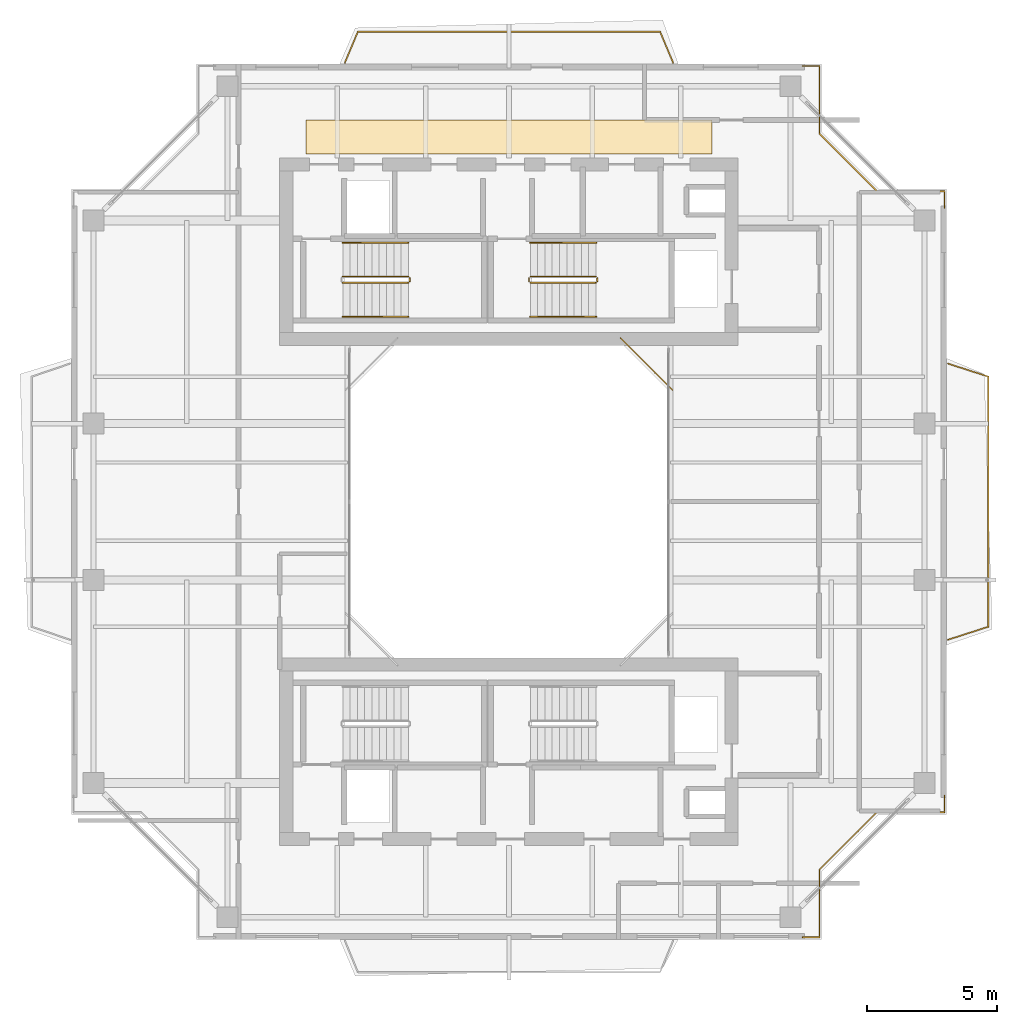
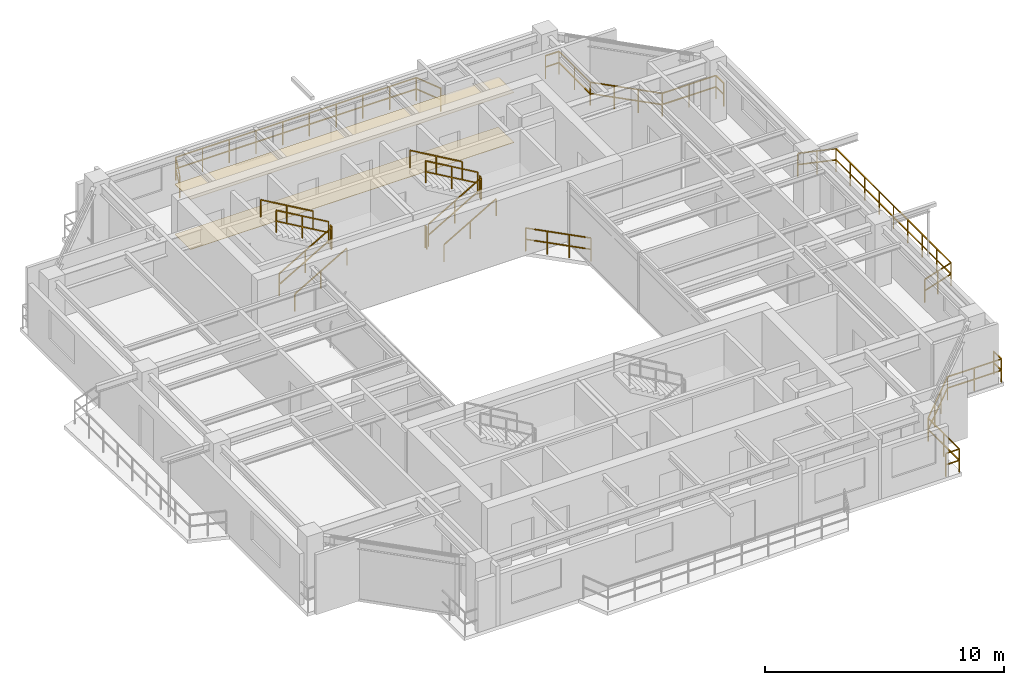
# One storey, part 15 of 15: 16 railings, 2 coverings.
"""IFC4 building model written with IfcOpenShell, lengths in metres."""

import ifcopenshell
import ifcopenshell.guid

model = None  # the IFC model being written
_history = None  # IfcOwnerHistory: only IFC2X3 demands one
_inside = {}  # id of a spatial element -> (the spatial element, [elements in it])
_under = {}  # id of a project, library or spatial element -> (it, [spatial elements below it])
_declared = {}  # id of a project -> (the project, [libraries it declares])
_typed = {}  # id of a type object -> (the type object, [elements of that type])
_made_of = {}  # id of a material, layer set ... -> (it, [elements and type objects made of it])


def new_model(schema):
    """Start an empty IFC model of exactly this schema.

    Asked for "IFC4X3", IfcOpenShell would pick the latest addendum, in which some entities
    have other attributes; the version numbers below select the first issue.
    IFC2X3 requires an IfcOwnerHistory on every rooted entity: one is made here for all.
    """
    global model, _history
    if schema == "IFC4X3":
        model = ifcopenshell.file(schema_version=(4, 3, 0, 0))
    else:
        model = ifcopenshell.file(schema=schema)
    _inside.clear()
    _under.clear()
    _declared.clear()
    _typed.clear()
    _made_of.clear()
    _history = None
    if model.schema == "IFC2X3":
        org = make("IfcOrganization", Name="unknown")
        user = make(
            "IfcPersonAndOrganization",
            ThePerson=make("IfcPerson", FamilyName="unknown"),
            TheOrganization=org,
        )
        app = make(
            "IfcApplication",
            ApplicationDeveloper=org,
            Version="unknown",
            ApplicationFullName="unknown",
            ApplicationIdentifier="unknown",
        )
        _history = make(
            "IfcOwnerHistory",
            OwningUser=user,
            OwningApplication=app,
            ChangeAction="ADDED",
            CreationDate=0,
        )
    return model


def make(cls, **values):
    """One entity of the class cls with the attributes given. An attribute that is None is left unset."""
    return model.create_entity(
        cls, **{name: value for name, value in values.items() if value is not None}
    )


def rooted(cls, **values):
    """An entity with a GlobalId (a new one), such as an element, a storey or a relation."""
    return make(cls, GlobalId=ifcopenshell.guid.new(), OwnerHistory=_history, **values)


def si_unit(unit_type, name, prefix=None):
    """IfcSIUnit, for example si_unit("LENGTHUNIT", "METRE", prefix="MILLI")."""
    return make("IfcSIUnit", UnitType=unit_type, Prefix=prefix, Name=name)


def assignment(units):
    """IfcUnitAssignment: the units of a project."""
    return None if units is None else make("IfcUnitAssignment", Units=units)


def point(xyz):
    """IfcCartesianPoint."""
    return None if xyz is None else make("IfcCartesianPoint", Coordinates=xyz)


def direction(xyz):
    """IfcDirection."""
    return None if xyz is None else make("IfcDirection", DirectionRatios=xyz)


def frame(location, z_axis=None, x_axis=None):
    """IfcAxis2Placement3D, a coordinate frame: its origin and axes. An axis left out is left unset."""
    return make(
        "IfcAxis2Placement3D",
        Location=point(location),
        Axis=direction(z_axis),
        RefDirection=direction(x_axis),
    )


def frame_2d(location, x_axis=None):
    """IfcAxis2Placement2D, a coordinate frame in the plane: its origin and x axis."""
    return make(
        "IfcAxis2Placement2D", Location=point(location), RefDirection=direction(x_axis)
    )


def origin():
    """The frame at (0, 0, 0) with its axes left unset."""
    return frame((0.0, 0.0, 0.0))


def origin_2d():
    """The frame at (0, 0) in the plane with its x axis left unset."""
    return frame_2d((0.0, 0.0))


def place(relative_to, where):
    """IfcLocalPlacement: puts the frame where relative to a parent placement (None: the world)."""
    return make(
        "IfcLocalPlacement", PlacementRelTo=relative_to, RelativePlacement=where
    )


def context(
    kind, dimensions, precision=None, world=None, true_north=None, identifier=None
):
    """IfcGeometricRepresentationContext, for example the 3D "Model" context."""
    return make(
        "IfcGeometricRepresentationContext",
        ContextIdentifier=identifier,
        ContextType=kind,
        CoordinateSpaceDimension=dimensions,
        Precision=precision,
        WorldCoordinateSystem=world,
        TrueNorth=true_north,
    )


def subcontext(parent, identifier, kind, view, scale=None):
    """IfcGeometricRepresentationSubContext, for example "Body" below "Model"."""
    return make(
        "IfcGeometricRepresentationSubContext",
        ContextIdentifier=identifier,
        ContextType=kind,
        ParentContext=parent,
        TargetScale=scale,
        TargetView=view,
    )


def project(units=None, contexts=None):
    """IfcProject with its units and contexts."""
    return rooted(
        "IfcProject",
        Name="project",
        RepresentationContexts=contexts,
        UnitsInContext=assignment(units),
    )


def spatial(cls, under=None, at=None, **own):
    """A site, building, storey or space (cls), placed at a placement, below another one or the project."""
    s = rooted(cls, ObjectPlacement=at, **own)
    if under is not None:
        _under.setdefault(under.id(), (under, []))[1].append(s)
    return s


def polyline(points):
    """IfcPolyline through the points."""
    return make("IfcPolyline", Points=[point(p) for p in points])


def profile(cls, at=None, kind="AREA", **sizes):
    """A parametric profile (cls). Its sizes go by their IFC names, for example OverallWidth=200.0."""
    return make(cls, ProfileType=kind, Position=at, **sizes)


def rectangle(**sizes):
    """IfcRectangleProfileDef."""
    return profile("IfcRectangleProfileDef", **sizes)


def outline(outer, holes=None, kind="AREA"):
    """IfcArbitraryClosedProfileDef: a profile drawn as a closed curve; with holes, ...WithVoids."""
    if holes is None:
        return make("IfcArbitraryClosedProfileDef", ProfileType=kind, OuterCurve=outer)
    return make(
        "IfcArbitraryProfileDefWithVoids",
        ProfileType=kind,
        OuterCurve=outer,
        InnerCurves=holes,
    )


def extrude(swept, where, along, depth):
    """IfcExtrudedAreaSolid: the profile swept, set in the frame where, extruded along a direction by depth."""
    return make(
        "IfcExtrudedAreaSolid",
        SweptArea=swept,
        Position=where,
        ExtrudedDirection=direction(along),
        Depth=depth,
    )


def shape(context_of_items, identifier, shape_type, items):
    """IfcShapeRepresentation: the items that make up one representation, for example the "Body"."""
    return make(
        "IfcShapeRepresentation",
        ContextOfItems=context_of_items,
        RepresentationIdentifier=identifier,
        RepresentationType=shape_type,
        Items=items,
    )


def material(Name=None, Category=None):
    """IfcMaterial."""
    return make("IfcMaterial", Name=Name, Category=Category)


def layer(
    of_material, thickness, ventilated=None, Name=None, Category=None, Priority=None
):
    """IfcMaterialLayer: one layer of a wall or slab, of a material (None: an air gap)."""
    return make(
        "IfcMaterialLayer",
        Material=of_material,
        LayerThickness=thickness,
        IsVentilated=ventilated,
        Name=Name,
        Category=Category,
        Priority=Priority,
    )


def layer_set(layers, Name=None):
    """IfcMaterialLayerSet."""
    return make("IfcMaterialLayerSet", MaterialLayers=layers, LayerSetName=Name)


def made_of(thing, what):
    """Note that an element or type object is made of a material, layer set ...; save() writes the relation."""
    if what is not None:
        _made_of.setdefault(what.id(), (what, []))[1].append(thing)
    return thing


def type_object(cls, material=None, **own):
    """A type object (cls), such as IfcWallType, which elements share."""
    return made_of(rooted(cls, **own), material)


def element(
    cls,
    number,
    at=None,
    inside=None,
    cuts=None,
    type_object=None,
    material=None,
    context=None,
    identifier="Body",
    shape_type=None,
    held_by="IfcProductDefinitionShape",
    body=None,
    shapes=None,
    **own,
):
    """One element of the class cls, such as IfcWall. Its Tag is "e" and its number.

    at: its placement. inside: the storey or other place that contains it. cuts: it is an
    opening in that element (IfcRelVoidsElement). A single representation is given by context,
    identifier, shape_type and body (its items); several are given by shapes. held_by: the class
    of the entity that holds the representations. save() writes the other relations.
    """
    e = rooted(cls, Tag="e%d" % number, ObjectPlacement=at, **own)
    if body is not None:
        shapes = [shape(context, identifier, shape_type, body)]
    if shapes is not None:
        e.Representation = make(held_by, Representations=shapes)
    if inside is not None:
        _inside.setdefault(inside.id(), (inside, []))[1].append(e)
    if cuts is not None:
        rooted(
            "IfcRelVoidsElement", RelatingBuildingElement=cuts, RelatedOpeningElement=e
        )
    if type_object is not None:
        _typed.setdefault(type_object.id(), (type_object, []))[1].append(e)
    return made_of(e, material)


def aggregate(whole, parts):
    """IfcRelAggregates: a whole, such as a stair, and the parts it consists of."""
    return rooted("IfcRelAggregates", RelatingObject=whole, RelatedObjects=parts)


def save(model, path):
    """Write the relations noted so far, then the file.

    IfcRelAggregates (storeys below a building ...), IfcRelContainedInSpatialStructure (elements
    in a storey), IfcRelDefinesByType, IfcRelAssociatesMaterial and IfcRelDeclares: one each for
    every whole, place, type object, material and project.
    """
    for whole, parts in _under.values():
        aggregate(whole, parts)
    for where, things in _inside.values():
        rooted(
            "IfcRelContainedInSpatialStructure",
            RelatedElements=things,
            RelatingStructure=where,
        )
    for kind, things in _typed.values():
        rooted("IfcRelDefinesByType", RelatedObjects=things, RelatingType=kind)
    for what, things in _made_of.values():
        rooted("IfcRelAssociatesMaterial", RelatedObjects=things, RelatingMaterial=what)
    for by, libraries in _declared.values():
        rooted("IfcRelDeclares", RelatingContext=by, RelatedDefinitions=libraries)
    model.write(path)


model = new_model("IFC4")

# Units and contexts
model_context = context("Model", 3, precision=1e-05, world=origin(), true_north=direction((0.0, 1.0)))
body_context = subcontext(model_context, "Body", "Model", "MODEL_VIEW")
ifc_project = project(units=[si_unit("LENGTHUNIT", "METRE"), si_unit("AREAUNIT", "SQUARE_METRE"), si_unit("VOLUMEUNIT", "CUBIC_METRE"), si_unit("PLANEANGLEUNIT", "RADIAN"), si_unit("MASSUNIT", "GRAM", prefix="KILO"), si_unit("THERMODYNAMICTEMPERATUREUNIT", "KELVIN"), si_unit("POWERUNIT", "WATT")], contexts=[model_context])

# Site, building, storey
site_placement = place(None, origin())
site = spatial("IfcSite", under=ifc_project, at=site_placement, CompositionType="ELEMENT")
building_placement = place(site_placement, origin())
building = spatial("IfcBuilding", under=site, at=building_placement, Name="Qiaomeng Ring Towers", CompositionType="ELEMENT")
storey_placement = place(building_placement, frame((0.0, 0.0, 226.25)))
storey = spatial("IfcBuildingStorey", under=building, at=storey_placement, Name="L66", CompositionType="ELEMENT", Elevation=226.25)

# Coverings
ifc_material_1 = material(Name="Mineral fibre acoustic ceiling tile", Category="gypsum")
ifc_layer_1 = layer(ifc_material_1, 0.02490234375, Name="Mineral fibre acoustic ceiling tile")
ifc_layer_set_1 = layer_set([ifc_layer_1], Name="Mineral fibre acoustic ceiling tile")
covering_type_1 = type_object("IfcCoveringType", Name="ARC-COV-CEIL1", PredefinedType="CEILING", material=ifc_layer_set_1)
covering_1_placement = place(storey_placement, frame((0.0, 0.0, 2.550048828125)))
element("IfcCovering", 1, at=covering_1_placement, inside=storey, type_object=covering_type_1, Name="L66 Corridor Acoustic Ceiling", PredefinedType="CEILING", context=body_context, shape_type="SweptSolid", body=[
    extrude(outline(polyline([(11.199951171875, 36.35009765625), (11.199951171875, 37.64990234375), (26.800048828125, 37.64990234375), (26.800048828125, 36.35009765625), (11.199951171875, 36.35009765625)])), origin(), (0.0, 0.0, 1.0), 0.02490234375),
])
ifc_material_2 = material(Name="Vitrified porcelain floor tile", Category="ceramic")
ifc_layer_2 = layer(ifc_material_2, 0.02001953125, Name="Vitrified porcelain floor tile")
ifc_layer_set_2 = layer_set([ifc_layer_2], Name="Vitrified porcelain floor tile")
covering_type_2 = type_object("IfcCoveringType", Name="ARC-COV-FLR1", PredefinedType="FLOORING", material=ifc_layer_set_2)
covering_2_placement = place(storey_placement, origin())
element("IfcCovering", 2, at=covering_2_placement, inside=storey, type_object=covering_type_2, Name="L66 Corridor Stone Flooring", PredefinedType="FLOORING", context=body_context, shape_type="SweptSolid", body=[
    extrude(outline(polyline([(11.199951171875, 36.35009765625), (11.199951171875, 37.64990234375), (26.800048828125, 37.64990234375), (26.800048828125, 36.35009765625), (11.199951171875, 36.35009765625)])), origin(), (0.0, 0.0, 1.0), 0.02001953125),
])

# Railings
ifc_material_3 = material(Name="Low-E pale-green laminated safety glass", Category="glass")
railing_type_1 = type_object("IfcRailingType", Name="ARC-RL-BAL1", PredefinedType="BALUSTRADE", material=ifc_material_3)
railing_1_placement = place(storey_placement, frame((25.280029296875, 27.280029296875, 0.0)))
element("IfcRailing", 3, at=railing_1_placement, inside=storey, type_object=railing_type_1, Name="L66 Balustrade ARC-BAL-WELL1-L66-2", PredefinedType="BALUSTRADE", context=body_context, shape_type="SweptSolid", body=[
    extrude(rectangle(XDim=0.048095703125, YDim=0.048095703125, at=origin_2d()), frame((0.0, 0.0, 1.17578125), z_axis=(-0.707106781187, 0.707106781187, 0.0), x_axis=(-0.707106781187, -0.707106781187, 0.0)), (0.0, 0.0, 1.0), 2.828369140625),
    extrude(rectangle(XDim=0.048095703125, YDim=0.048095703125, at=origin_2d()), frame((0.0, 0.0, 0.60009765625), z_axis=(-0.707106781187, 0.707106781187, 0.0), x_axis=(-0.707106781187, -0.707106781187, 0.0)), (0.0, 0.0, 1.0), 2.828369140625),
    extrude(rectangle(XDim=0.0419921875, YDim=0.0419921875, at=origin_2d()), origin(), (0.0, 0.0, 1.0), 1.15185546875),
    extrude(rectangle(XDim=0.0419921875, YDim=0.0419921875, at=origin_2d()), frame((-0.666748046875, 0.666748046875, 0.0)), (0.0, 0.0, 1.0), 1.15185546875),
    extrude(rectangle(XDim=0.0419921875, YDim=0.0419921875, at=origin_2d()), frame((-1.333251953125, 1.333251953125, 0.0)), (0.0, 0.0, 1.0), 1.15185546875),
    extrude(rectangle(XDim=0.0419921875, YDim=0.0419921875, at=origin_2d()), frame((-2.0, 2.0, 0.0)), (0.0, 0.0, 1.0), 1.15185546875),
])
railing_2_placement = place(storey_placement, frame((30.27001953125, 6.280029296875, 0.0)))
element("IfcRailing", 4, at=railing_2_placement, inside=storey, type_object=railing_type_1, Name="L66 Balustrade ARC-BAL-NOTCH1-L66-SE", PredefinedType="BALUSTRADE", context=body_context, shape_type="SweptSolid", body=[
    extrude(rectangle(XDim=0.048095703125, YDim=0.048095703125, at=origin_2d()), frame((0.0, 0.0, 1.17578125), z_axis=(1.0, 0.0, 0.0), x_axis=(0.0, 1.0, 0.0)), (0.0, 0.0, 1.0), 0.64990234375),
    extrude(rectangle(XDim=0.048095703125, YDim=0.048095703125, at=origin_2d()), frame((0.0, 0.0, 0.60009765625), z_axis=(1.0, 0.0, 0.0), x_axis=(0.0, 1.0, 0.0)), (0.0, 0.0, 1.0), 0.64990234375),
    extrude(rectangle(XDim=0.048095703125, YDim=0.048095703125, at=origin_2d()), frame((0.64990234375, 0.0, 1.17578125), z_axis=(0.0, 1.0, 0.0), x_axis=(-1.0, 0.0, 0.0)), (0.0, 0.0, 1.0), 2.599853515625),
    extrude(rectangle(XDim=0.048095703125, YDim=0.048095703125, at=origin_2d()), frame((0.64990234375, 0.0, 0.60009765625), z_axis=(0.0, 1.0, 0.0), x_axis=(-1.0, 0.0, 0.0)), (0.0, 0.0, 1.0), 2.599853515625),
    extrude(rectangle(XDim=0.048095703125, YDim=0.048095703125, at=origin_2d()), frame((0.64990234375, 2.599853515625, 1.17578125), z_axis=(0.707106781187, 0.707106781187, 0.0), x_axis=(-0.707106781187, 0.707106781187, 0.0)), (0.0, 0.0, 1.0), 3.111572265625),
    extrude(rectangle(XDim=0.048095703125, YDim=0.048095703125, at=origin_2d()), frame((0.64990234375, 2.599853515625, 0.60009765625), z_axis=(0.707106781187, 0.707106781187, 0.0), x_axis=(-0.707106781187, 0.707106781187, 0.0)), (0.0, 0.0, 1.0), 3.111572265625),
    extrude(rectangle(XDim=0.048095703125, YDim=0.048095703125, at=origin_2d()), frame((2.85009765625, 4.800048828125, 1.17578125), z_axis=(1.0, 0.0, 0.0), x_axis=(0.0, 1.0, 0.0)), (0.0, 0.0, 1.0), 2.599853515625),
    extrude(rectangle(XDim=0.048095703125, YDim=0.048095703125, at=origin_2d()), frame((2.85009765625, 4.800048828125, 0.60009765625), z_axis=(1.0, 0.0, 0.0), x_axis=(0.0, 1.0, 0.0)), (0.0, 0.0, 1.0), 2.599853515625),
    extrude(rectangle(XDim=0.048095703125, YDim=0.048095703125, at=origin_2d()), frame((5.449951171875, 4.800048828125, 1.17578125), z_axis=(0.0, 1.0, 0.0), x_axis=(-1.0, 0.0, 0.0)), (0.0, 0.0, 1.0), 0.64990234375),
    extrude(rectangle(XDim=0.048095703125, YDim=0.048095703125, at=origin_2d()), frame((5.449951171875, 4.800048828125, 0.60009765625), z_axis=(0.0, 1.0, 0.0), x_axis=(-1.0, 0.0, 0.0)), (0.0, 0.0, 1.0), 0.64990234375),
    extrude(rectangle(XDim=0.0419921875, YDim=0.0419921875, at=origin_2d()), origin(), (0.0, 0.0, 1.0), 1.15185546875),
    extrude(rectangle(XDim=0.0419921875, YDim=0.0419921875, at=origin_2d()), frame((0.64990234375, 0.0, 0.0)), (0.0, 0.0, 1.0), 1.15185546875),
    extrude(rectangle(XDim=0.0419921875, YDim=0.0419921875, at=origin_2d()), frame((0.64990234375, 1.2998046875, 0.0)), (0.0, 0.0, 1.0), 1.15185546875),
    extrude(rectangle(XDim=0.0419921875, YDim=0.0419921875, at=origin_2d()), frame((0.64990234375, 2.599853515625, 0.0)), (0.0, 0.0, 1.0), 1.15185546875),
    extrude(rectangle(XDim=0.0419921875, YDim=0.0419921875, at=origin_2d()), frame((1.38330078125, 3.333251953125, 0.0)), (0.0, 0.0, 1.0), 1.15185546875),
    extrude(rectangle(XDim=0.0419921875, YDim=0.0419921875, at=origin_2d()), frame((2.11669921875, 4.066650390625, 0.0)), (0.0, 0.0, 1.0), 1.15185546875),
    extrude(rectangle(XDim=0.0419921875, YDim=0.0419921875, at=origin_2d()), frame((2.85009765625, 4.800048828125, 0.0)), (0.0, 0.0, 1.0), 1.15185546875),
    extrude(rectangle(XDim=0.0419921875, YDim=0.0419921875, at=origin_2d()), frame((4.14990234375, 4.800048828125, 0.0)), (0.0, 0.0, 1.0), 1.15185546875),
    extrude(rectangle(XDim=0.0419921875, YDim=0.0419921875, at=origin_2d()), frame((5.449951171875, 4.800048828125, 0.0)), (0.0, 0.0, 1.0), 1.15185546875),
    extrude(rectangle(XDim=0.0419921875, YDim=0.0419921875, at=origin_2d()), frame((5.449951171875, 5.449951171875, 0.0)), (0.0, 0.0, 1.0), 1.15185546875),
])
railing_3_placement = place(storey_placement, frame((35.719970703125, 34.27001953125, 0.0)))
element("IfcRailing", 5, at=railing_3_placement, inside=storey, type_object=railing_type_1, Name="L66 Balustrade ARC-BAL-NOTCH1-L66-NE", PredefinedType="BALUSTRADE", context=body_context, shape_type="SweptSolid", body=[
    extrude(rectangle(XDim=0.048095703125, YDim=0.048095703125, at=origin_2d()), frame((0.0, 0.0, 1.17578125), z_axis=(0.0, 1.0, 0.0), x_axis=(-1.0, 0.0, 0.0)), (0.0, 0.0, 1.0), 0.64990234375),
    extrude(rectangle(XDim=0.048095703125, YDim=0.048095703125, at=origin_2d()), frame((0.0, 0.0, 0.60009765625), z_axis=(0.0, 1.0, 0.0), x_axis=(-1.0, 0.0, 0.0)), (0.0, 0.0, 1.0), 0.64990234375),
    extrude(rectangle(XDim=0.048095703125, YDim=0.048095703125, at=origin_2d()), frame((0.0, 0.64990234375, 1.17578125), z_axis=(-1.0, 0.0, 0.0), x_axis=(0.0, -1.0, 0.0)), (0.0, 0.0, 1.0), 2.599853515625),
    extrude(rectangle(XDim=0.048095703125, YDim=0.048095703125, at=origin_2d()), frame((0.0, 0.64990234375, 0.60009765625), z_axis=(-1.0, 0.0, 0.0), x_axis=(0.0, -1.0, 0.0)), (0.0, 0.0, 1.0), 2.599853515625),
    extrude(rectangle(XDim=0.048095703125, YDim=0.048095703125, at=origin_2d()), frame((-2.599853515625, 0.64990234375, 1.17578125), z_axis=(-0.707106781187, 0.707106781187, 0.0), x_axis=(-0.707106781187, -0.707106781187, 0.0)), (0.0, 0.0, 1.0), 3.111572265625),
    extrude(rectangle(XDim=0.048095703125, YDim=0.048095703125, at=origin_2d()), frame((-2.599853515625, 0.64990234375, 0.60009765625), z_axis=(-0.707106781187, 0.707106781187, 0.0), x_axis=(-0.707106781187, -0.707106781187, 0.0)), (0.0, 0.0, 1.0), 3.111572265625),
    extrude(rectangle(XDim=0.048095703125, YDim=0.048095703125, at=origin_2d()), frame((-4.800048828125, 2.85009765625, 1.17578125), z_axis=(0.0, 1.0, 0.0), x_axis=(-1.0, 0.0, 0.0)), (0.0, 0.0, 1.0), 2.599853515625),
    extrude(rectangle(XDim=0.048095703125, YDim=0.048095703125, at=origin_2d()), frame((-4.800048828125, 2.85009765625, 0.60009765625), z_axis=(0.0, 1.0, 0.0), x_axis=(-1.0, 0.0, 0.0)), (0.0, 0.0, 1.0), 2.599853515625),
    extrude(rectangle(XDim=0.048095703125, YDim=0.048095703125, at=origin_2d()), frame((-4.800048828125, 5.449951171875, 1.17578125), z_axis=(-1.0, 0.0, 0.0), x_axis=(0.0, -1.0, 0.0)), (0.0, 0.0, 1.0), 0.64990234375),
    extrude(rectangle(XDim=0.048095703125, YDim=0.048095703125, at=origin_2d()), frame((-4.800048828125, 5.449951171875, 0.60009765625), z_axis=(-1.0, 0.0, 0.0), x_axis=(0.0, -1.0, 0.0)), (0.0, 0.0, 1.0), 0.64990234375),
    extrude(rectangle(XDim=0.0419921875, YDim=0.0419921875, at=origin_2d()), origin(), (0.0, 0.0, 1.0), 1.15185546875),
    extrude(rectangle(XDim=0.0419921875, YDim=0.0419921875, at=origin_2d()), frame((0.0, 0.64990234375, 0.0)), (0.0, 0.0, 1.0), 1.15185546875),
    extrude(rectangle(XDim=0.0419921875, YDim=0.0419921875, at=origin_2d()), frame((-1.2998046875, 0.64990234375, 0.0)), (0.0, 0.0, 1.0), 1.15185546875),
    extrude(rectangle(XDim=0.0419921875, YDim=0.0419921875, at=origin_2d()), frame((-2.599853515625, 0.64990234375, 0.0)), (0.0, 0.0, 1.0), 1.15185546875),
    extrude(rectangle(XDim=0.0419921875, YDim=0.0419921875, at=origin_2d()), frame((-3.333251953125, 1.38330078125, 0.0)), (0.0, 0.0, 1.0), 1.15185546875),
    extrude(rectangle(XDim=0.0419921875, YDim=0.0419921875, at=origin_2d()), frame((-4.066650390625, 2.11669921875, 0.0)), (0.0, 0.0, 1.0), 1.15185546875),
    extrude(rectangle(XDim=0.0419921875, YDim=0.0419921875, at=origin_2d()), frame((-4.800048828125, 2.85009765625, 0.0)), (0.0, 0.0, 1.0), 1.15185546875),
    extrude(rectangle(XDim=0.0419921875, YDim=0.0419921875, at=origin_2d()), frame((-4.800048828125, 4.14990234375, 0.0)), (0.0, 0.0, 1.0), 1.15185546875),
    extrude(rectangle(XDim=0.0419921875, YDim=0.0419921875, at=origin_2d()), frame((-4.800048828125, 5.449951171875, 0.0)), (0.0, 0.0, 1.0), 1.15185546875),
    extrude(rectangle(XDim=0.0419921875, YDim=0.0419921875, at=origin_2d()), frame((-5.449951171875, 5.449951171875, 0.0)), (0.0, 0.0, 1.0), 1.15185546875),
])
railing_4_placement = place(storey_placement, frame((35.85009765625, 17.699951171875, 0.0)))
element("IfcRailing", 6, at=railing_4_placement, inside=storey, type_object=railing_type_1, Name="L66 Balustrade ARC-BAL-L66-T1-E", PredefinedType="BALUSTRADE", context=body_context, shape_type="SweptSolid", body=[
    extrude(rectangle(XDim=0.048095703125, YDim=0.048095703125, at=origin_2d()), frame((0.0, 0.0, 1.17578125), z_axis=(0.951697313001, 0.307037822468, 0.0), x_axis=(-0.307037822468, 0.951697313001, 0.0)), (0.0, 0.0, 1.0), 1.62841796875),
    extrude(rectangle(XDim=0.048095703125, YDim=0.048095703125, at=origin_2d()), frame((0.0, 0.0, 0.60009765625), z_axis=(0.951697313001, 0.307037822468, 0.0), x_axis=(-0.307037822468, 0.951697313001, 0.0)), (0.0, 0.0, 1.0), 1.62841796875),
    extrude(rectangle(XDim=0.048095703125, YDim=0.048095703125, at=origin_2d()), frame((1.5498046875, 0.5, 1.17578125), z_axis=(0.0, 1.0, 0.0), x_axis=(-1.0, 0.0, 0.0)), (0.0, 0.0, 1.0), 9.60009765625),
    extrude(rectangle(XDim=0.048095703125, YDim=0.048095703125, at=origin_2d()), frame((1.5498046875, 0.5, 0.60009765625), z_axis=(0.0, 1.0, 0.0), x_axis=(-1.0, 0.0, 0.0)), (0.0, 0.0, 1.0), 9.60009765625),
    extrude(rectangle(XDim=0.048095703125, YDim=0.048095703125, at=origin_2d()), frame((1.5498046875, 10.10009765625, 1.17578125), z_axis=(-0.951697313001, 0.307037822468, 0.0), x_axis=(-0.307037822468, -0.951697313001, 0.0)), (0.0, 0.0, 1.0), 1.62841796875),
    extrude(rectangle(XDim=0.048095703125, YDim=0.048095703125, at=origin_2d()), frame((1.5498046875, 10.10009765625, 0.60009765625), z_axis=(-0.951697313001, 0.307037822468, 0.0), x_axis=(-0.307037822468, -0.951697313001, 0.0)), (0.0, 0.0, 1.0), 1.62841796875),
    extrude(rectangle(XDim=0.0419921875, YDim=0.0419921875, at=origin_2d()), origin(), (0.0, 0.0, 1.0), 1.15185546875),
    extrude(rectangle(XDim=0.0419921875, YDim=0.0419921875, at=origin_2d()), frame((0.77490234375, 0.25, 0.0)), (0.0, 0.0, 1.0), 1.15185546875),
    extrude(rectangle(XDim=0.0419921875, YDim=0.0419921875, at=origin_2d()), frame((1.5498046875, 0.5, 0.0)), (0.0, 0.0, 1.0), 1.15185546875),
    extrude(rectangle(XDim=0.0419921875, YDim=0.0419921875, at=origin_2d()), frame((1.5498046875, 1.699951171875, 0.0)), (0.0, 0.0, 1.0), 1.15185546875),
    extrude(rectangle(XDim=0.0419921875, YDim=0.0419921875, at=origin_2d()), frame((1.5498046875, 2.89990234375, 0.0)), (0.0, 0.0, 1.0), 1.15185546875),
    extrude(rectangle(XDim=0.0419921875, YDim=0.0419921875, at=origin_2d()), frame((1.5498046875, 4.10009765625, 0.0)), (0.0, 0.0, 1.0), 1.15185546875),
    extrude(rectangle(XDim=0.0419921875, YDim=0.0419921875, at=origin_2d()), frame((1.5498046875, 5.300048828125, 0.0)), (0.0, 0.0, 1.0), 1.15185546875),
    extrude(rectangle(XDim=0.0419921875, YDim=0.0419921875, at=origin_2d()), frame((1.5498046875, 6.5, 0.0)), (0.0, 0.0, 1.0), 1.15185546875),
    extrude(rectangle(XDim=0.0419921875, YDim=0.0419921875, at=origin_2d()), frame((1.5498046875, 7.7001953125, 0.0)), (0.0, 0.0, 1.0), 1.15185546875),
    extrude(rectangle(XDim=0.0419921875, YDim=0.0419921875, at=origin_2d()), frame((1.5498046875, 8.900146484375, 0.0)), (0.0, 0.0, 1.0), 1.15185546875),
    extrude(rectangle(XDim=0.0419921875, YDim=0.0419921875, at=origin_2d()), frame((1.5498046875, 10.10009765625, 0.0)), (0.0, 0.0, 1.0), 1.15185546875),
    extrude(rectangle(XDim=0.0419921875, YDim=0.0419921875, at=origin_2d()), frame((0.77490234375, 10.35009765625, 0.0)), (0.0, 0.0, 1.0), 1.15185546875),
    extrude(rectangle(XDim=0.0419921875, YDim=0.0419921875, at=origin_2d()), frame((0.0, 10.60009765625, 0.0)), (0.0, 0.0, 1.0), 1.15185546875),
])
railing_5_placement = place(storey_placement, frame((12.699951171875, 39.85009765625, 0.0)))
element("IfcRailing", 7, at=railing_5_placement, inside=storey, type_object=railing_type_1, Name="L66 Balustrade ARC-BAL-L66-T1-N", PredefinedType="BALUSTRADE", context=body_context, shape_type="SweptSolid", body=[
    extrude(rectangle(XDim=0.048095703125, YDim=0.048095703125, at=origin_2d()), frame((0.0, 0.0, 1.17578125), z_axis=(0.387380404006, 0.921919965394, 0.0), x_axis=(-0.921919965394, 0.387380404006, 0.0)), (0.0, 0.0, 1.0), 1.290771484375),
    extrude(rectangle(XDim=0.048095703125, YDim=0.048095703125, at=origin_2d()), frame((0.0, 0.0, 0.60009765625), z_axis=(0.387380404006, 0.921919965394, 0.0), x_axis=(-0.921919965394, 0.387380404006, 0.0)), (0.0, 0.0, 1.0), 1.290771484375),
    extrude(rectangle(XDim=0.048095703125, YDim=0.048095703125, at=origin_2d()), frame((0.5, 1.18994140625, 1.17578125), z_axis=(1.0, 0.0, 0.0), x_axis=(0.0, 1.0, 0.0)), (0.0, 0.0, 1.0), 11.60009765625),
    extrude(rectangle(XDim=0.048095703125, YDim=0.048095703125, at=origin_2d()), frame((0.5, 1.18994140625, 0.60009765625), z_axis=(1.0, 0.0, 0.0), x_axis=(0.0, 1.0, 0.0)), (0.0, 0.0, 1.0), 11.60009765625),
    extrude(rectangle(XDim=0.048095703125, YDim=0.048095703125, at=origin_2d()), frame((12.10009765625, 1.18994140625, 1.17578125), z_axis=(0.387380404006, -0.921919965394, 0.0), x_axis=(0.921919965394, 0.387380404006, 0.0)), (0.0, 0.0, 1.0), 1.290771484375),
    extrude(rectangle(XDim=0.048095703125, YDim=0.048095703125, at=origin_2d()), frame((12.10009765625, 1.18994140625, 0.60009765625), z_axis=(0.387380404006, -0.921919965394, 0.0), x_axis=(0.921919965394, 0.387380404006, 0.0)), (0.0, 0.0, 1.0), 1.290771484375),
    extrude(rectangle(XDim=0.0419921875, YDim=0.0419921875, at=origin_2d()), origin(), (0.0, 0.0, 1.0), 1.15185546875),
    extrude(rectangle(XDim=0.0419921875, YDim=0.0419921875, at=origin_2d()), frame((0.5, 1.18994140625, 0.0)), (0.0, 0.0, 1.0), 1.15185546875),
    extrude(rectangle(XDim=0.0419921875, YDim=0.0419921875, at=origin_2d()), frame((1.788818359375, 1.18994140625, 0.0)), (0.0, 0.0, 1.0), 1.15185546875),
    extrude(rectangle(XDim=0.0419921875, YDim=0.0419921875, at=origin_2d()), frame((3.077880859375, 1.18994140625, 0.0)), (0.0, 0.0, 1.0), 1.15185546875),
    extrude(rectangle(XDim=0.0419921875, YDim=0.0419921875, at=origin_2d()), frame((4.36669921875, 1.18994140625, 0.0)), (0.0, 0.0, 1.0), 1.15185546875),
    extrude(rectangle(XDim=0.0419921875, YDim=0.0419921875, at=origin_2d()), frame((5.655517578125, 1.18994140625, 0.0)), (0.0, 0.0, 1.0), 1.15185546875),
    extrude(rectangle(XDim=0.0419921875, YDim=0.0419921875, at=origin_2d()), frame((6.944580078125, 1.18994140625, 0.0)), (0.0, 0.0, 1.0), 1.15185546875),
    extrude(rectangle(XDim=0.0419921875, YDim=0.0419921875, at=origin_2d()), frame((8.2333984375, 1.18994140625, 0.0)), (0.0, 0.0, 1.0), 1.15185546875),
    extrude(rectangle(XDim=0.0419921875, YDim=0.0419921875, at=origin_2d()), frame((9.522216796875, 1.18994140625, 0.0)), (0.0, 0.0, 1.0), 1.15185546875),
    extrude(rectangle(XDim=0.0419921875, YDim=0.0419921875, at=origin_2d()), frame((10.811279296875, 1.18994140625, 0.0)), (0.0, 0.0, 1.0), 1.15185546875),
    extrude(rectangle(XDim=0.0419921875, YDim=0.0419921875, at=origin_2d()), frame((12.10009765625, 1.18994140625, 0.0)), (0.0, 0.0, 1.0), 1.15185546875),
    extrude(rectangle(XDim=0.0419921875, YDim=0.0419921875, at=origin_2d()), frame((12.60009765625, 0.0, 0.0)), (0.0, 0.0, 1.0), 1.15185546875),
])
ifc_material_4 = material(Name="Galvanised steel", Category="steel")
railing_type_2 = type_object("IfcRailingType", Name="ARC-RL-GUARD", PredefinedType="GUARDRAIL", material=ifc_material_4)
railing_6_placement = place(storey_placement, frame((12.6201171875, 31.39990234375, 0.16259765625)))
element("IfcRailing", 8, at=railing_6_placement, inside=storey, type_object=railing_type_2, Name="L66 ST1 stair guard 1", PredefinedType="GUARDRAIL", context=body_context, shape_type="SweptSolid", body=[
    extrude(rectangle(XDim=0.048095703125, YDim=0.048095703125, at=origin_2d()), frame((0.0, 0.0, 1.1259765625), z_axis=(0.864892226395, 0.0, 0.501957604506), x_axis=(0.0, 1.0, 0.0)), (0.0, 0.0, 1.0), 2.913330078125),
    extrude(rectangle(XDim=0.048095703125, YDim=0.048095703125, at=origin_2d()), frame((0.0, 0.0, 0.574951171875), z_axis=(0.864892226395, 0.0, 0.501957604506), x_axis=(0.0, 1.0, 0.0)), (0.0, 0.0, 1.0), 2.913330078125),
    extrude(rectangle(XDim=0.0419921875, YDim=0.0419921875, at=origin_2d()), origin(), (0.0, 0.0, 1.0), 1.101806640625),
    extrude(rectangle(XDim=0.0419921875, YDim=0.0419921875, at=origin_2d()), frame((1.259765625, 0.0, 0.731201171875)), (0.0, 0.0, 1.0), 1.101806640625),
    extrude(rectangle(XDim=0.0419921875, YDim=0.0419921875, at=origin_2d()), frame((2.519775390625, 0.0, 1.46240234375)), (0.0, 0.0, 1.0), 1.101806640625),
])
railing_7_placement = place(storey_placement, frame((15.18994140625, 31.449951171875, 1.625)))
element("IfcRailing", 9, at=railing_7_placement, inside=storey, type_object=railing_type_2, Name="L66 ST1 stair guard 2", PredefinedType="GUARDRAIL", context=body_context, shape_type="SweptSolid", body=[
    extrude(rectangle(XDim=0.048095703125, YDim=0.048095703125, at=origin_2d()), frame((0.0, 0.0, 1.1259765625), z_axis=(0.0, 1.0, 0.0), x_axis=(-1.0, 0.0, 0.0)), (0.0, 0.0, 1.0), 0.14013671875),
    extrude(rectangle(XDim=0.048095703125, YDim=0.048095703125, at=origin_2d()), frame((0.0, 0.0, 0.574951171875), z_axis=(0.0, 1.0, 0.0), x_axis=(-1.0, 0.0, 0.0)), (0.0, 0.0, 1.0), 0.14013671875),
    extrude(rectangle(XDim=0.0419921875, YDim=0.0419921875, at=origin_2d()), origin(), (0.0, 0.0, 1.0), 1.101806640625),
    extrude(rectangle(XDim=0.0419921875, YDim=0.0419921875, at=origin_2d()), frame((0.0, 0.14013671875, 0.0)), (0.0, 0.0, 1.0), 1.101806640625),
])
railing_8_placement = place(storey_placement, frame((15.139892578125, 31.639892578125, 1.78759765625)))
element("IfcRailing", 10, at=railing_8_placement, inside=storey, type_object=railing_type_2, Name="L66 ST1 stair guard 3", PredefinedType="GUARDRAIL", context=body_context, shape_type="SweptSolid", body=[
    extrude(rectangle(XDim=0.048095703125, YDim=0.048095703125, at=origin_2d()), frame((0.0, 0.0, 1.1259765625), z_axis=(-0.864892226395, 0.0, 0.501957604506), x_axis=(0.0, -1.0, 0.0)), (0.0, 0.0, 1.0), 2.913330078125),
    extrude(rectangle(XDim=0.048095703125, YDim=0.048095703125, at=origin_2d()), frame((0.0, 0.0, 0.574951171875), z_axis=(-0.864892226395, 0.0, 0.501957604506), x_axis=(0.0, -1.0, 0.0)), (0.0, 0.0, 1.0), 2.913330078125),
    extrude(rectangle(XDim=0.0419921875, YDim=0.0419921875, at=origin_2d()), origin(), (0.0, 0.0, 1.0), 1.101806640625),
    extrude(rectangle(XDim=0.0419921875, YDim=0.0419921875, at=origin_2d()), frame((-1.259765625, 0.0, 0.731201171875)), (0.0, 0.0, 1.0), 1.101806640625),
    extrude(rectangle(XDim=0.0419921875, YDim=0.0419921875, at=origin_2d()), frame((-2.519775390625, 0.0, 1.46240234375)), (0.0, 0.0, 1.0), 1.101806640625),
])
railing_9_placement = place(storey_placement, frame((19.820068359375, 31.39990234375, 0.16259765625)))
element("IfcRailing", 11, at=railing_9_placement, inside=storey, type_object=railing_type_2, Name="L66 ST2 stair guard 1", PredefinedType="GUARDRAIL", context=body_context, shape_type="SweptSolid", body=[
    extrude(rectangle(XDim=0.048095703125, YDim=0.048095703125, at=origin_2d()), frame((0.0, 0.0, 1.1259765625), z_axis=(0.864913338283, 0.0, 0.50192122615), x_axis=(0.0, 1.0, 0.0)), (0.0, 0.0, 1.0), 2.91357421875),
    extrude(rectangle(XDim=0.048095703125, YDim=0.048095703125, at=origin_2d()), frame((0.0, 0.0, 0.574951171875), z_axis=(0.864913338283, 0.0, 0.50192122615), x_axis=(0.0, 1.0, 0.0)), (0.0, 0.0, 1.0), 2.91357421875),
    extrude(rectangle(XDim=0.0419921875, YDim=0.0419921875, at=origin_2d()), origin(), (0.0, 0.0, 1.0), 1.101806640625),
    extrude(rectangle(XDim=0.0419921875, YDim=0.0419921875, at=origin_2d()), frame((1.260009765625, 0.0, 0.731201171875)), (0.0, 0.0, 1.0), 1.101806640625),
    extrude(rectangle(XDim=0.0419921875, YDim=0.0419921875, at=origin_2d()), frame((2.52001953125, 0.0, 1.46240234375)), (0.0, 0.0, 1.0), 1.101806640625),
])
railing_10_placement = place(storey_placement, frame((22.389892578125, 31.449951171875, 1.625)))
element("IfcRailing", 12, at=railing_10_placement, inside=storey, type_object=railing_type_2, Name="L66 ST2 stair guard 2", PredefinedType="GUARDRAIL", context=body_context, shape_type="SweptSolid", body=[
    extrude(rectangle(XDim=0.048095703125, YDim=0.048095703125, at=origin_2d()), frame((0.0, 0.0, 1.1259765625), z_axis=(0.0, 1.0, 0.0), x_axis=(-1.0, 0.0, 0.0)), (0.0, 0.0, 1.0), 0.14013671875),
    extrude(rectangle(XDim=0.048095703125, YDim=0.048095703125, at=origin_2d()), frame((0.0, 0.0, 0.574951171875), z_axis=(0.0, 1.0, 0.0), x_axis=(-1.0, 0.0, 0.0)), (0.0, 0.0, 1.0), 0.14013671875),
    extrude(rectangle(XDim=0.0419921875, YDim=0.0419921875, at=origin_2d()), origin(), (0.0, 0.0, 1.0), 1.101806640625),
    extrude(rectangle(XDim=0.0419921875, YDim=0.0419921875, at=origin_2d()), frame((0.0, 0.14013671875, 0.0)), (0.0, 0.0, 1.0), 1.101806640625),
])
railing_11_placement = place(storey_placement, frame((22.340087890625, 31.639892578125, 1.78759765625)))
element("IfcRailing", 13, at=railing_11_placement, inside=storey, type_object=railing_type_2, Name="L66 ST2 stair guard 3", PredefinedType="GUARDRAIL", context=body_context, shape_type="SweptSolid", body=[
    extrude(rectangle(XDim=0.048095703125, YDim=0.048095703125, at=origin_2d()), frame((0.0, 0.0, 1.1259765625), z_axis=(-0.864913338283, 0.0, 0.50192122615), x_axis=(0.0, -1.0, 0.0)), (0.0, 0.0, 1.0), 2.91357421875),
    extrude(rectangle(XDim=0.048095703125, YDim=0.048095703125, at=origin_2d()), frame((0.0, 0.0, 0.574951171875), z_axis=(-0.864913338283, 0.0, 0.50192122615), x_axis=(0.0, -1.0, 0.0)), (0.0, 0.0, 1.0), 2.91357421875),
    extrude(rectangle(XDim=0.0419921875, YDim=0.0419921875, at=origin_2d()), origin(), (0.0, 0.0, 1.0), 1.101806640625),
    extrude(rectangle(XDim=0.0419921875, YDim=0.0419921875, at=origin_2d()), frame((-1.260009765625, 0.0, 0.731201171875)), (0.0, 0.0, 1.0), 1.101806640625),
    extrude(rectangle(XDim=0.0419921875, YDim=0.0419921875, at=origin_2d()), frame((-2.52001953125, 0.0, 1.46240234375)), (0.0, 0.0, 1.0), 1.101806640625),
])
railing_12_placement = place(storey_placement, frame((19.77001953125, 31.449951171875, 0.0)))
element("IfcRailing", 14, at=railing_12_placement, inside=storey, type_object=railing_type_2, Name="L66 ST2 stair guard 4", PredefinedType="GUARDRAIL", context=body_context, shape_type="SweptSolid", body=[
    extrude(rectangle(XDim=0.048095703125, YDim=0.048095703125, at=origin_2d()), frame((0.0, 0.0, 1.1259765625), z_axis=(0.0, 1.0, 0.0), x_axis=(-1.0, 0.0, 0.0)), (0.0, 0.0, 1.0), 0.14013671875),
    extrude(rectangle(XDim=0.048095703125, YDim=0.048095703125, at=origin_2d()), frame((0.0, 0.0, 0.574951171875), z_axis=(0.0, 1.0, 0.0), x_axis=(-1.0, 0.0, 0.0)), (0.0, 0.0, 1.0), 0.14013671875),
    extrude(rectangle(XDim=0.0419921875, YDim=0.0419921875, at=origin_2d()), origin(), (0.0, 0.0, 1.0), 1.101806640625),
    extrude(rectangle(XDim=0.0419921875, YDim=0.0419921875, at=origin_2d()), frame((0.0, 0.14013671875, 0.0)), (0.0, 0.0, 1.0), 1.101806640625),
])
ifc_material_5 = material(Name="Stainless steel 316", Category="steel")
railing_type_3 = type_object("IfcRailingType", Name="ARC-RL-HAND", PredefinedType="HANDRAIL", material=ifc_material_5)
railing_13_placement = place(storey_placement, frame((12.6201171875, 30.10009765625, 0.16259765625)))
element("IfcRailing", 15, at=railing_13_placement, inside=storey, type_object=railing_type_3, Name="L66 ST1 stair handrail 1", PredefinedType="HANDRAIL", context=body_context, shape_type="SweptSolid", body=[
    extrude(rectangle(XDim=0.048095703125, YDim=0.048095703125, at=origin_2d()), frame((0.0, 0.0, 0.8759765625), z_axis=(0.864892226395, 0.0, 0.501957604506), x_axis=(0.0, 1.0, 0.0)), (0.0, 0.0, 1.0), 2.913330078125),
    extrude(rectangle(XDim=0.0419921875, YDim=0.0419921875, at=origin_2d()), origin(), (0.0, 0.0, 1.0), 0.851806640625),
    extrude(rectangle(XDim=0.0419921875, YDim=0.0419921875, at=origin_2d()), frame((1.259765625, 0.0, 0.731201171875)), (0.0, 0.0, 1.0), 0.851806640625),
    extrude(rectangle(XDim=0.0419921875, YDim=0.0419921875, at=origin_2d()), frame((2.519775390625, 0.0, 1.46240234375)), (0.0, 0.0, 1.0), 0.851806640625),
])
railing_14_placement = place(storey_placement, frame((15.139892578125, 32.93994140625, 1.78759765625)))
element("IfcRailing", 16, at=railing_14_placement, inside=storey, type_object=railing_type_3, Name="L66 ST1 stair handrail 2", PredefinedType="HANDRAIL", context=body_context, shape_type="SweptSolid", body=[
    extrude(rectangle(XDim=0.048095703125, YDim=0.048095703125, at=origin_2d()), frame((0.0, 0.0, 0.8759765625), z_axis=(-0.864892226395, 0.0, 0.501957604506), x_axis=(0.0, -1.0, 0.0)), (0.0, 0.0, 1.0), 2.913330078125),
    extrude(rectangle(XDim=0.0419921875, YDim=0.0419921875, at=origin_2d()), origin(), (0.0, 0.0, 1.0), 0.851806640625),
    extrude(rectangle(XDim=0.0419921875, YDim=0.0419921875, at=origin_2d()), frame((-1.259765625, 0.0, 0.731201171875)), (0.0, 0.0, 1.0), 0.851806640625),
    extrude(rectangle(XDim=0.0419921875, YDim=0.0419921875, at=origin_2d()), frame((-2.519775390625, 0.0, 1.46240234375)), (0.0, 0.0, 1.0), 0.851806640625),
])
railing_15_placement = place(storey_placement, frame((19.820068359375, 30.10009765625, 0.16259765625)))
element("IfcRailing", 17, at=railing_15_placement, inside=storey, type_object=railing_type_3, Name="L66 ST2 stair handrail 1", PredefinedType="HANDRAIL", context=body_context, shape_type="SweptSolid", body=[
    extrude(rectangle(XDim=0.048095703125, YDim=0.048095703125, at=origin_2d()), frame((0.0, 0.0, 0.8759765625), z_axis=(0.864913338283, 0.0, 0.50192122615), x_axis=(0.0, 1.0, 0.0)), (0.0, 0.0, 1.0), 2.91357421875),
    extrude(rectangle(XDim=0.0419921875, YDim=0.0419921875, at=origin_2d()), origin(), (0.0, 0.0, 1.0), 0.851806640625),
    extrude(rectangle(XDim=0.0419921875, YDim=0.0419921875, at=origin_2d()), frame((1.260009765625, 0.0, 0.731201171875)), (0.0, 0.0, 1.0), 0.851806640625),
    extrude(rectangle(XDim=0.0419921875, YDim=0.0419921875, at=origin_2d()), frame((2.52001953125, 0.0, 1.46240234375)), (0.0, 0.0, 1.0), 0.851806640625),
])
railing_16_placement = place(storey_placement, frame((22.340087890625, 32.93994140625, 1.78759765625)))
element("IfcRailing", 18, at=railing_16_placement, inside=storey, type_object=railing_type_3, Name="L66 ST2 stair handrail 2", PredefinedType="HANDRAIL", context=body_context, shape_type="SweptSolid", body=[
    extrude(rectangle(XDim=0.048095703125, YDim=0.048095703125, at=origin_2d()), frame((0.0, 0.0, 0.8759765625), z_axis=(-0.864913338283, 0.0, 0.50192122615), x_axis=(0.0, -1.0, 0.0)), (0.0, 0.0, 1.0), 2.91357421875),
    extrude(rectangle(XDim=0.0419921875, YDim=0.0419921875, at=origin_2d()), origin(), (0.0, 0.0, 1.0), 0.851806640625),
    extrude(rectangle(XDim=0.0419921875, YDim=0.0419921875, at=origin_2d()), frame((-1.260009765625, 0.0, 0.731201171875)), (0.0, 0.0, 1.0), 0.851806640625),
    extrude(rectangle(XDim=0.0419921875, YDim=0.0419921875, at=origin_2d()), frame((-2.52001953125, 0.0, 1.46240234375)), (0.0, 0.0, 1.0), 0.851806640625),
])

save(model, "model.ifc")
